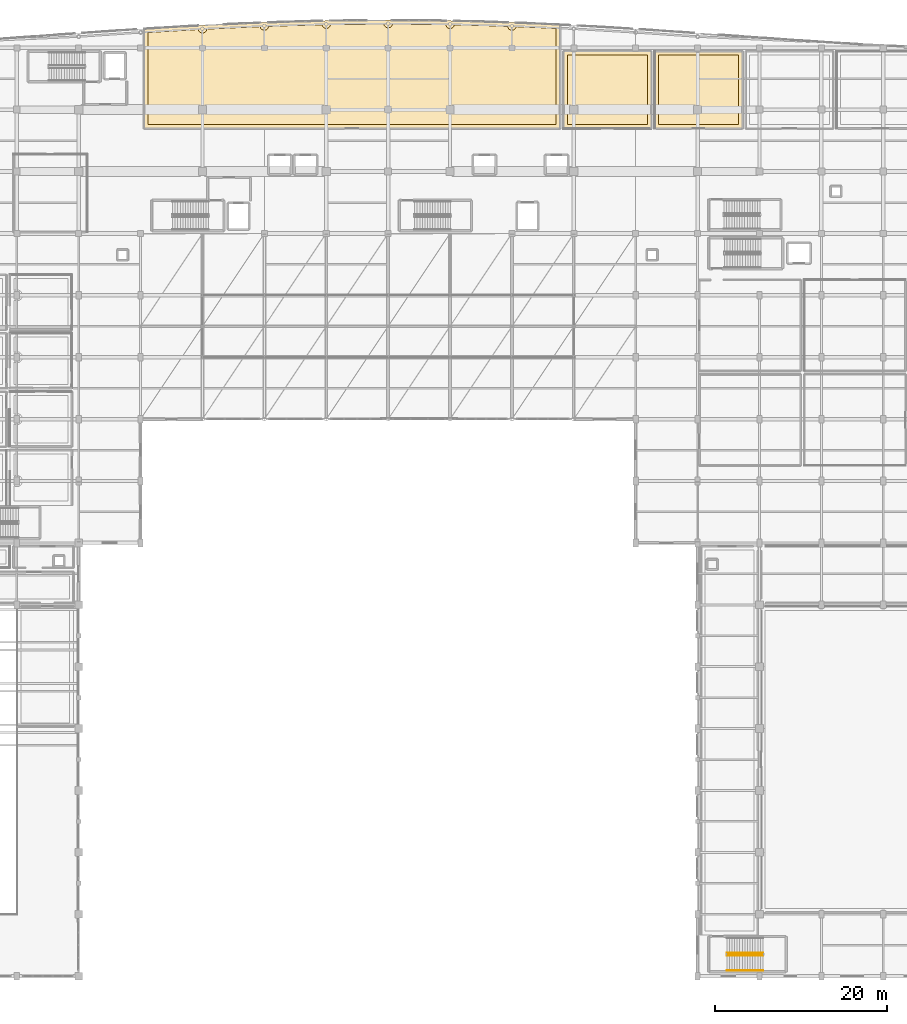
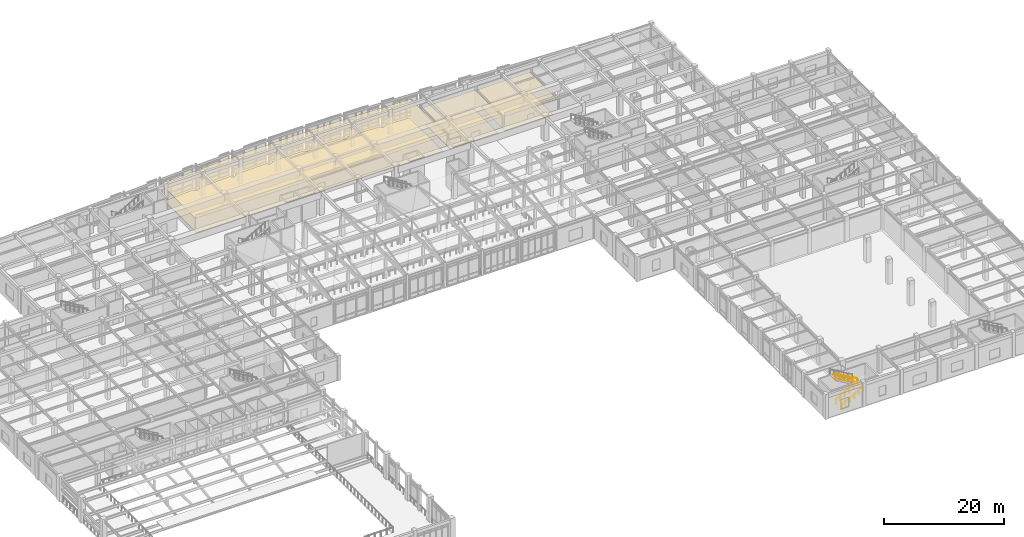
# One storey, part 113 of 117: 6 coverings, 3 railings.
"""IFC4 building model written with IfcOpenShell, lengths in metres."""

import ifcopenshell
import ifcopenshell.guid

model = None  # the IFC model being written
_history = None  # IfcOwnerHistory: only IFC2X3 demands one
_inside = {}  # id of a spatial element -> (the spatial element, [elements in it])
_under = {}  # id of a project, library or spatial element -> (it, [spatial elements below it])
_declared = {}  # id of a project -> (the project, [libraries it declares])
_typed = {}  # id of a type object -> (the type object, [elements of that type])
_made_of = {}  # id of a material, layer set ... -> (it, [elements and type objects made of it])


def new_model(schema):
    """Start an empty IFC model of exactly this schema.

    Asked for "IFC4X3", IfcOpenShell would pick the latest addendum, in which some entities
    have other attributes; the version numbers below select the first issue.
    IFC2X3 requires an IfcOwnerHistory on every rooted entity: one is made here for all.
    """
    global model, _history
    if schema == "IFC4X3":
        model = ifcopenshell.file(schema_version=(4, 3, 0, 0))
    else:
        model = ifcopenshell.file(schema=schema)
    _inside.clear()
    _under.clear()
    _declared.clear()
    _typed.clear()
    _made_of.clear()
    _history = None
    if model.schema == "IFC2X3":
        org = make("IfcOrganization", Name="unknown")
        user = make(
            "IfcPersonAndOrganization",
            ThePerson=make("IfcPerson", FamilyName="unknown"),
            TheOrganization=org,
        )
        app = make(
            "IfcApplication",
            ApplicationDeveloper=org,
            Version="unknown",
            ApplicationFullName="unknown",
            ApplicationIdentifier="unknown",
        )
        _history = make(
            "IfcOwnerHistory",
            OwningUser=user,
            OwningApplication=app,
            ChangeAction="ADDED",
            CreationDate=0,
        )
    return model


def make(cls, **values):
    """One entity of the class cls with the attributes given. An attribute that is None is left unset."""
    return model.create_entity(
        cls, **{name: value for name, value in values.items() if value is not None}
    )


def rooted(cls, **values):
    """An entity with a GlobalId (a new one), such as an element, a storey or a relation."""
    return make(cls, GlobalId=ifcopenshell.guid.new(), OwnerHistory=_history, **values)


def si_unit(unit_type, name, prefix=None):
    """IfcSIUnit, for example si_unit("LENGTHUNIT", "METRE", prefix="MILLI")."""
    return make("IfcSIUnit", UnitType=unit_type, Prefix=prefix, Name=name)


def assignment(units):
    """IfcUnitAssignment: the units of a project."""
    return None if units is None else make("IfcUnitAssignment", Units=units)


def point(xyz):
    """IfcCartesianPoint."""
    return None if xyz is None else make("IfcCartesianPoint", Coordinates=xyz)


def direction(xyz):
    """IfcDirection."""
    return None if xyz is None else make("IfcDirection", DirectionRatios=xyz)


def frame(location, z_axis=None, x_axis=None):
    """IfcAxis2Placement3D, a coordinate frame: its origin and axes. An axis left out is left unset."""
    return make(
        "IfcAxis2Placement3D",
        Location=point(location),
        Axis=direction(z_axis),
        RefDirection=direction(x_axis),
    )


def frame_2d(location, x_axis=None):
    """IfcAxis2Placement2D, a coordinate frame in the plane: its origin and x axis."""
    return make(
        "IfcAxis2Placement2D", Location=point(location), RefDirection=direction(x_axis)
    )


def origin():
    """The frame at (0, 0, 0) with its axes left unset."""
    return frame((0.0, 0.0, 0.0))


def origin_2d():
    """The frame at (0, 0) in the plane with its x axis left unset."""
    return frame_2d((0.0, 0.0))


def place(relative_to, where):
    """IfcLocalPlacement: puts the frame where relative to a parent placement (None: the world)."""
    return make(
        "IfcLocalPlacement", PlacementRelTo=relative_to, RelativePlacement=where
    )


def context(
    kind, dimensions, precision=None, world=None, true_north=None, identifier=None
):
    """IfcGeometricRepresentationContext, for example the 3D "Model" context."""
    return make(
        "IfcGeometricRepresentationContext",
        ContextIdentifier=identifier,
        ContextType=kind,
        CoordinateSpaceDimension=dimensions,
        Precision=precision,
        WorldCoordinateSystem=world,
        TrueNorth=true_north,
    )


def subcontext(parent, identifier, kind, view, scale=None):
    """IfcGeometricRepresentationSubContext, for example "Body" below "Model"."""
    return make(
        "IfcGeometricRepresentationSubContext",
        ContextIdentifier=identifier,
        ContextType=kind,
        ParentContext=parent,
        TargetScale=scale,
        TargetView=view,
    )


def project(units=None, contexts=None):
    """IfcProject with its units and contexts."""
    return rooted(
        "IfcProject",
        Name="project",
        RepresentationContexts=contexts,
        UnitsInContext=assignment(units),
    )


def spatial(cls, under=None, at=None, **own):
    """A site, building, storey or space (cls), placed at a placement, below another one or the project."""
    s = rooted(cls, ObjectPlacement=at, **own)
    if under is not None:
        _under.setdefault(under.id(), (under, []))[1].append(s)
    return s


def polyline(points):
    """IfcPolyline through the points."""
    return make("IfcPolyline", Points=[point(p) for p in points])


def profile(cls, at=None, kind="AREA", **sizes):
    """A parametric profile (cls). Its sizes go by their IFC names, for example OverallWidth=200.0."""
    return make(cls, ProfileType=kind, Position=at, **sizes)


def circle(**sizes):
    """IfcCircleProfileDef."""
    return profile("IfcCircleProfileDef", **sizes)


def outline(outer, holes=None, kind="AREA"):
    """IfcArbitraryClosedProfileDef: a profile drawn as a closed curve; with holes, ...WithVoids."""
    if holes is None:
        return make("IfcArbitraryClosedProfileDef", ProfileType=kind, OuterCurve=outer)
    return make(
        "IfcArbitraryProfileDefWithVoids",
        ProfileType=kind,
        OuterCurve=outer,
        InnerCurves=holes,
    )


def extrude(swept, where, along, depth):
    """IfcExtrudedAreaSolid: the profile swept, set in the frame where, extruded along a direction by depth."""
    return make(
        "IfcExtrudedAreaSolid",
        SweptArea=swept,
        Position=where,
        ExtrudedDirection=direction(along),
        Depth=depth,
    )


def shape(context_of_items, identifier, shape_type, items):
    """IfcShapeRepresentation: the items that make up one representation, for example the "Body"."""
    return make(
        "IfcShapeRepresentation",
        ContextOfItems=context_of_items,
        RepresentationIdentifier=identifier,
        RepresentationType=shape_type,
        Items=items,
    )


def material(Name=None, Category=None):
    """IfcMaterial."""
    return make("IfcMaterial", Name=Name, Category=Category)


def layer(
    of_material, thickness, ventilated=None, Name=None, Category=None, Priority=None
):
    """IfcMaterialLayer: one layer of a wall or slab, of a material (None: an air gap)."""
    return make(
        "IfcMaterialLayer",
        Material=of_material,
        LayerThickness=thickness,
        IsVentilated=ventilated,
        Name=Name,
        Category=Category,
        Priority=Priority,
    )


def layer_set(layers, Name=None):
    """IfcMaterialLayerSet."""
    return make("IfcMaterialLayerSet", MaterialLayers=layers, LayerSetName=Name)


def made_of(thing, what):
    """Note that an element or type object is made of a material, layer set ...; save() writes the relation."""
    if what is not None:
        _made_of.setdefault(what.id(), (what, []))[1].append(thing)
    return thing


def type_object(cls, material=None, **own):
    """A type object (cls), such as IfcWallType, which elements share."""
    return made_of(rooted(cls, **own), material)


def element(
    cls,
    number,
    at=None,
    inside=None,
    cuts=None,
    type_object=None,
    material=None,
    context=None,
    identifier="Body",
    shape_type=None,
    held_by="IfcProductDefinitionShape",
    body=None,
    shapes=None,
    **own,
):
    """One element of the class cls, such as IfcWall. Its Tag is "e" and its number.

    at: its placement. inside: the storey or other place that contains it. cuts: it is an
    opening in that element (IfcRelVoidsElement). A single representation is given by context,
    identifier, shape_type and body (its items); several are given by shapes. held_by: the class
    of the entity that holds the representations. save() writes the other relations.
    """
    e = rooted(cls, Tag="e%d" % number, ObjectPlacement=at, **own)
    if body is not None:
        shapes = [shape(context, identifier, shape_type, body)]
    if shapes is not None:
        e.Representation = make(held_by, Representations=shapes)
    if inside is not None:
        _inside.setdefault(inside.id(), (inside, []))[1].append(e)
    if cuts is not None:
        rooted(
            "IfcRelVoidsElement", RelatingBuildingElement=cuts, RelatedOpeningElement=e
        )
    if type_object is not None:
        _typed.setdefault(type_object.id(), (type_object, []))[1].append(e)
    return made_of(e, material)


def aggregate(whole, parts):
    """IfcRelAggregates: a whole, such as a stair, and the parts it consists of."""
    return rooted("IfcRelAggregates", RelatingObject=whole, RelatedObjects=parts)


def save(model, path):
    """Write the relations noted so far, then the file.

    IfcRelAggregates (storeys below a building ...), IfcRelContainedInSpatialStructure (elements
    in a storey), IfcRelDefinesByType, IfcRelAssociatesMaterial and IfcRelDeclares: one each for
    every whole, place, type object, material and project.
    """
    for whole, parts in _under.values():
        aggregate(whole, parts)
    for where, things in _inside.values():
        rooted(
            "IfcRelContainedInSpatialStructure",
            RelatedElements=things,
            RelatingStructure=where,
        )
    for kind, things in _typed.values():
        rooted("IfcRelDefinesByType", RelatedObjects=things, RelatingType=kind)
    for what, things in _made_of.values():
        rooted("IfcRelAssociatesMaterial", RelatedObjects=things, RelatingMaterial=what)
    for by, libraries in _declared.values():
        rooted("IfcRelDeclares", RelatingContext=by, RelatedDefinitions=libraries)
    model.write(path)


model = new_model("IFC4")

# Units and contexts
model_context = context("Model", 3, precision=1e-05, world=origin(), true_north=direction((0.0, 1.0)))
body_context = subcontext(model_context, "Body", "Model", "MODEL_VIEW")
ifc_project = project(units=[si_unit("LENGTHUNIT", "METRE"), si_unit("AREAUNIT", "SQUARE_METRE"), si_unit("VOLUMEUNIT", "CUBIC_METRE"), si_unit("PLANEANGLEUNIT", "RADIAN"), si_unit("MASSUNIT", "GRAM", prefix="KILO")], contexts=[model_context])

# Site, building, storey
site_placement = place(None, origin())
site = spatial("IfcSite", under=ifc_project, at=site_placement, CompositionType="ELEMENT")
building_placement = place(site_placement, origin())
building = spatial("IfcBuilding", under=site, at=building_placement, Name="Carrowvane Square Congress Hotel", CompositionType="ELEMENT")
storey_placement = place(building_placement, frame((0.0, 0.0, 5.39990234375)))
storey = spatial("IfcBuildingStorey", under=building, at=storey_placement, Name="L01", CompositionType="ELEMENT", Elevation=5.39990234375)

# Coverings
ifc_material_1 = material(Name="Acoustic gypsum board", Category="gypsum")
ifc_layer_1 = layer(ifc_material_1, 0.02001953125)
ifc_layer_set_1 = layer_set([ifc_layer_1], Name="Acoustic gypsum board")
covering_type_1 = type_object("IfcCoveringType", Name="COV-CLG-AC20", PredefinedType="CEILING", material=ifc_layer_set_1)
covering_1_placement = place(storey_placement, frame((0.0, 0.0, 3.375)))
element("IfcCovering", 1, at=covering_1_placement, inside=storey, type_object=covering_type_1, Name="L01 Delegate Congress Dining Hall acoustic ceiling", PredefinedType="CEILING", context=body_context, shape_type="SweptSolid", body=[
    extrude(outline(polyline([(118.0166015625, 103.989013671875), (118.015380859375, 103.9873046875), (118.01416015625, 103.98583984375), (118.0126953125, 103.984619140625), (118.010986328125, 103.9833984375), (118.009521484375, 103.982421875), (118.0078125, 103.9814453125), (118.005859375, 103.98095703125), (118.00390625, 103.98046875), (118.001953125, 103.97998046875), (118.0, 103.97998046875), (69.60009765625, 103.97998046875), (69.597900390625, 103.97998046875), (69.59619140625, 103.98046875), (69.59423828125, 103.98095703125), (69.59228515625, 103.9814453125), (69.590576171875, 103.982421875), (69.5888671875, 103.9833984375), (69.58740234375, 103.984619140625), (69.5859375, 103.98583984375), (69.58447265625, 103.9873046875), (69.58349609375, 103.989013671875), (69.58251953125, 103.990478515625), (69.58154296875, 103.9921875), (69.580810546875, 103.994140625), (69.580322265625, 103.99609375), (69.580078125, 103.998046875), (69.580078125, 104.0), (69.580078125, 113.276123046875), (69.582763671875, 113.283935546875), (69.59228515625, 113.322021484375), (69.59814453125, 113.36083984375), (69.60009765625, 113.39990234375), (69.59814453125, 113.439208984375), (69.59228515625, 113.47802734375), (69.582763671875, 113.51611328125), (69.580078125, 113.52392578125), (69.580078125, 115.599365234375), (69.580078125, 115.601318359375), (69.580322265625, 115.603271484375), (69.580810546875, 115.605224609375), (69.58154296875, 115.607177734375), (69.58251953125, 115.60888671875), (69.58349609375, 115.610595703125), (69.584716796875, 115.6123046875), (69.586181640625, 115.61376953125), (69.587646484375, 115.614990234375), (69.58935546875, 115.6162109375), (69.591064453125, 115.6171875), (69.593017578125, 115.617919921875), (69.5947265625, 115.61865234375), (69.5966796875, 115.618896484375), (69.598876953125, 115.619384765625), (73.998779296875, 115.8857421875), (73.998779296875, 115.8857421875), (76.39892578125, 116.017578125), (76.39892578125, 116.017578125), (78.799072265625, 116.138427734375), (78.799072265625, 116.138427734375), (81.19921875, 116.24755859375), (81.19921875, 116.24755859375), (83.59912109375, 116.343994140625), (83.599365234375, 116.343994140625), (85.999267578125, 116.427001953125), (85.99951171875, 116.427001953125), (88.3994140625, 116.49560546875), (88.3994140625, 116.49560546875), (90.799560546875, 116.5498046875), (90.7998046875, 116.5498046875), (93.19970703125, 116.588623046875), (93.19970703125, 116.588623046875), (95.599853515625, 116.6123046875), (95.599853515625, 116.6123046875), (98.0, 116.6201171875), (98.0, 116.6201171875), (100.400146484375, 116.6123046875), (100.400146484375, 116.6123046875), (102.80029296875, 116.588623046875), (102.80029296875, 116.588623046875), (105.2001953125, 116.5498046875), (105.200439453125, 116.5498046875), (107.6005859375, 116.49560546875), (107.6005859375, 116.49560546875), (110.00048828125, 116.427001953125), (110.000732421875, 116.427001953125), (112.400634765625, 116.343994140625), (112.40087890625, 116.343994140625), (114.80078125, 116.24755859375), (114.80078125, 116.24755859375), (118.0009765625, 116.09814453125), (118.002685546875, 116.097900390625), (118.004638671875, 116.09765625), (118.006591796875, 116.09716796875), (118.00830078125, 116.096435546875), (118.010009765625, 116.095458984375), (118.01171875, 116.094482421875), (118.01318359375, 116.09326171875), (118.014404296875, 116.092041015625), (118.015625, 116.090576171875), (118.016845703125, 116.089111328125), (118.017822265625, 116.08740234375), (118.0185546875, 116.085693359375), (118.019287109375, 116.083740234375), (118.01953125, 116.08203125), (118.02001953125, 116.080078125), (118.02001953125, 116.078125), (118.02001953125, 104.0), (118.02001953125, 103.998046875), (118.01953125, 103.99609375), (118.01904296875, 103.994140625), (118.0185546875, 103.9921875), (118.017578125, 103.990478515625), (118.0166015625, 103.989013671875)])), origin(), (0.0, 0.0, 1.0), 0.02001953125),
])
ifc_material_2 = material(Name="Anodised aluminium", Category="aluminium")
ifc_layer_2 = layer(ifc_material_2, 0.030029296875)
ifc_layer_set_2 = layer_set([ifc_layer_2], Name="Anodised aluminium")
covering_type_2 = type_object("IfcCoveringType", Name="COV-CLG-MT30", PredefinedType="CEILING", material=ifc_layer_set_2)
covering_2_placement = place(storey_placement, frame((0.0, 0.0, 3.28515625)))
element("IfcCovering", 2, at=covering_2_placement, inside=storey, type_object=covering_type_2, Name="L01 Private Dining Salon 2 acoustic ceiling", PredefinedType="CEILING", context=body_context, shape_type="SweptSolid", body=[
    extrude(outline(polyline([(128.984619140625, 103.9873046875), (128.9833984375, 103.989013671875), (128.982421875, 103.990478515625), (128.9814453125, 103.9921875), (128.98095703125, 103.994140625), (128.98046875, 103.99609375), (128.97998046875, 103.998046875), (128.97998046875, 104.0), (128.97998046875, 113.0), (128.97998046875, 113.001953125), (128.98046875, 113.00390625), (128.98095703125, 113.005859375), (128.9814453125, 113.0078125), (128.982421875, 113.009521484375), (128.9833984375, 113.010986328125), (128.984619140625, 113.0126953125), (128.98583984375, 113.01416015625), (128.9873046875, 113.015380859375), (128.989013671875, 113.0166015625), (128.990478515625, 113.017578125), (128.9921875, 113.0185546875), (128.994140625, 113.01904296875), (128.99609375, 113.01953125), (128.998046875, 113.02001953125), (129.0, 113.02001953125), (133.876220703125, 113.02001953125), (133.8837890625, 113.01708984375), (133.922119140625, 113.0078125), (133.960693359375, 113.001953125), (134.0, 113.0), (134.039306640625, 113.001953125), (134.077880859375, 113.0078125), (134.1162109375, 113.01708984375), (134.123779296875, 113.02001953125), (139.199951171875, 113.02001953125), (139.201904296875, 113.02001953125), (139.203857421875, 113.01953125), (139.205810546875, 113.01904296875), (139.207763671875, 113.0185546875), (139.20947265625, 113.017578125), (139.211181640625, 113.0166015625), (139.212646484375, 113.015380859375), (139.214111328125, 113.01416015625), (139.215576171875, 113.0126953125), (139.216552734375, 113.010986328125), (139.217529296875, 113.009521484375), (139.218505859375, 113.0078125), (139.218994140625, 113.005859375), (139.219482421875, 113.00390625), (139.219970703125, 113.001953125), (139.219970703125, 113.0), (139.219970703125, 104.0), (139.219970703125, 103.998046875), (139.219482421875, 103.99609375), (139.218994140625, 103.994140625), (139.218505859375, 103.9921875), (139.217529296875, 103.990478515625), (139.216552734375, 103.989013671875), (139.215576171875, 103.9873046875), (139.214111328125, 103.98583984375), (139.212646484375, 103.984619140625), (139.211181640625, 103.9833984375), (139.20947265625, 103.982421875), (139.207763671875, 103.9814453125), (139.205810546875, 103.98095703125), (139.203857421875, 103.98046875), (139.201904296875, 103.97998046875), (139.199951171875, 103.97998046875), (129.0, 103.97998046875), (128.998046875, 103.97998046875), (128.99609375, 103.98046875), (128.994140625, 103.98095703125), (128.9921875, 103.9814453125), (128.990478515625, 103.982421875), (128.989013671875, 103.9833984375), (128.9873046875, 103.984619140625), (128.98583984375, 103.98583984375), (128.984619140625, 103.9873046875)])), origin(), (0.0, 0.0, 1.0), 0.030029296875),
])
ifc_material_3 = material(Name="European oak timber", Category="wood")
ifc_layer_3 = layer(ifc_material_3, 0.02490234375)
ifc_layer_set_3 = layer_set([ifc_layer_3], Name="European oak timber")
covering_type_3 = type_object("IfcCoveringType", Name="COV-CLG-WD25", PredefinedType="CEILING", material=ifc_layer_set_3)
covering_3_placement = place(storey_placement, frame((0.0, 0.0, 3.3701171875)))
element("IfcCovering", 3, at=covering_3_placement, inside=storey, type_object=covering_type_3, Name="L01 Private Dining Salon 1 acoustic ceiling", PredefinedType="CEILING", context=body_context, shape_type="SweptSolid", body=[
    extrude(outline(polyline([(128.6201171875, 113.0), (128.6201171875, 104.0), (128.619873046875, 103.998046875), (128.61962890625, 103.99609375), (128.619140625, 103.994140625), (128.618408203125, 103.9921875), (128.61767578125, 103.990478515625), (128.61669921875, 103.989013671875), (128.615478515625, 103.9873046875), (128.614013671875, 103.98583984375), (128.61279296875, 103.984619140625), (128.611083984375, 103.9833984375), (128.609375, 103.982421875), (128.607666015625, 103.9814453125), (128.605712890625, 103.98095703125), (128.60400390625, 103.98046875), (128.60205078125, 103.97998046875), (128.60009765625, 103.97998046875), (118.39990234375, 103.97998046875), (118.39794921875, 103.97998046875), (118.39599609375, 103.98046875), (118.394287109375, 103.98095703125), (118.392333984375, 103.9814453125), (118.390625, 103.982421875), (118.388916015625, 103.9833984375), (118.38720703125, 103.984619140625), (118.385986328125, 103.98583984375), (118.384521484375, 103.9873046875), (118.38330078125, 103.989013671875), (118.38232421875, 103.990478515625), (118.381591796875, 103.9921875), (118.380859375, 103.994140625), (118.38037109375, 103.99609375), (118.380126953125, 103.998046875), (118.3798828125, 104.0), (118.3798828125, 113.0), (118.380126953125, 113.001953125), (118.38037109375, 113.00390625), (118.380859375, 113.005859375), (118.381591796875, 113.0078125), (118.38232421875, 113.009521484375), (118.38330078125, 113.010986328125), (118.384521484375, 113.0126953125), (118.385986328125, 113.01416015625), (118.38720703125, 113.015380859375), (118.388916015625, 113.0166015625), (118.390625, 113.017578125), (118.392333984375, 113.0185546875), (118.394287109375, 113.01904296875), (118.39599609375, 113.01953125), (118.39794921875, 113.02001953125), (118.39990234375, 113.02001953125), (119.47607421875, 113.02001953125), (119.48388671875, 113.01708984375), (119.52197265625, 113.0078125), (119.560791015625, 113.001953125), (119.60009765625, 113.0), (119.63916015625, 113.001953125), (119.677978515625, 113.0078125), (119.716064453125, 113.01708984375), (119.723876953125, 113.02001953125), (126.676025390625, 113.02001953125), (126.683837890625, 113.01708984375), (126.721923828125, 113.0078125), (126.7607421875, 113.001953125), (126.800048828125, 113.0), (126.839111328125, 113.001953125), (126.8779296875, 113.0078125), (126.916015625, 113.01708984375), (126.923828125, 113.02001953125), (128.60009765625, 113.02001953125), (128.60205078125, 113.02001953125), (128.60400390625, 113.01953125), (128.605712890625, 113.01904296875), (128.607666015625, 113.0185546875), (128.609375, 113.017578125), (128.611083984375, 113.0166015625), (128.61279296875, 113.015380859375), (128.614013671875, 113.01416015625), (128.615478515625, 113.0126953125), (128.61669921875, 113.010986328125), (128.61767578125, 113.009521484375), (128.618408203125, 113.0078125), (128.619140625, 113.005859375), (128.61962890625, 113.00390625), (128.619873046875, 113.001953125), (128.6201171875, 113.0)])), origin(), (0.0, 0.0, 1.0), 0.02490234375),
])
ifc_material_4 = material(Name="European oak timber", Category="wood")
ifc_layer_4 = layer(ifc_material_4, 0.013916015625)
ifc_layer_set_4 = layer_set([ifc_layer_4], Name="European oak timber")
covering_type_4 = type_object("IfcCoveringType", Name="COV-FLR-CRP14", PredefinedType="FLOORING", material=ifc_layer_set_4)
covering_4_placement = place(storey_placement, origin())
element("IfcCovering", 4, at=covering_4_placement, inside=storey, type_object=covering_type_4, Name="L01 Private Dining Salon 2 floor finish", PredefinedType="FLOORING", context=body_context, shape_type="SweptSolid", body=[
    extrude(outline(polyline([(138.75, 112.550048828125), (138.75, 104.449951171875), (129.449951171875, 104.449951171875), (129.449951171875, 112.550048828125), (138.75, 112.550048828125)])), origin(), (0.0, 0.0, 1.0), 0.01416015625),
])
ifc_material_5 = material(Name="Portland limestone cladding", Category="masonry")
ifc_layer_5 = layer(ifc_material_5, 0.02587890625)
ifc_layer_set_5 = layer_set([ifc_layer_5], Name="Portland limestone cladding")
covering_type_5 = type_object("IfcCoveringType", Name="COV-FLR-STN26", PredefinedType="FLOORING", material=ifc_layer_set_5)
covering_5_placement = place(storey_placement, origin())
element("IfcCovering", 5, at=covering_5_placement, inside=storey, type_object=covering_type_5, Name="L01 Private Dining Salon 1 floor finish", PredefinedType="FLOORING", context=body_context, shape_type="SweptSolid", body=[
    extrude(outline(polyline([(128.14990234375, 112.550048828125), (128.14990234375, 104.449951171875), (118.85009765625, 104.449951171875), (118.85009765625, 112.550048828125), (128.14990234375, 112.550048828125)])), origin(), (0.0, 0.0, 1.0), 0.026123046875),
])
ifc_material_6 = material(Name="Ceramic porcelain tile", Category="stone")
ifc_layer_6 = layer(ifc_material_6, 0.02197265625)
ifc_layer_set_6 = layer_set([ifc_layer_6], Name="Ceramic porcelain tile")
covering_type_6 = type_object("IfcCoveringType", Name="COV-FLR-TRZ22", PredefinedType="FLOORING", material=ifc_layer_set_6)
covering_6_placement = place(storey_placement, origin())
element("IfcCovering", 6, at=covering_6_placement, inside=storey, type_object=covering_type_6, Name="L01 Delegate Congress Dining Hall floor finish", PredefinedType="FLOORING", context=body_context, shape_type="SweptSolid", body=[
    extrude(outline(polyline([(105.58642578125, 115.83251953125), (105.61572265625, 115.8720703125), (105.64111328125, 115.9140625), (105.661865234375, 115.95849609375), (105.678466796875, 116.004638671875), (105.6904296875, 116.05224609375), (105.69287109375, 116.068603515625), (107.58837890625, 116.02587890625), (109.98583984375, 115.957275390625), (111.903076171875, 115.890869140625), (111.90966796875, 115.846435546875), (111.92138671875, 115.798828125), (111.93798828125, 115.752685546875), (111.958984375, 115.708251953125), (111.984375, 115.666259765625), (112.013427734375, 115.626708984375), (112.04638671875, 115.59033203125), (112.082763671875, 115.5576171875), (112.122314453125, 115.5283203125), (112.164306640625, 115.5029296875), (112.208740234375, 115.482177734375), (112.2548828125, 115.465576171875), (112.302490234375, 115.45361328125), (112.35107421875, 115.4462890625), (112.39990234375, 115.444091796875), (112.448974609375, 115.4462890625), (112.49755859375, 115.45361328125), (112.545166015625, 115.465576171875), (112.59130859375, 115.482177734375), (112.6357421875, 115.5029296875), (112.677734375, 115.5283203125), (112.71728515625, 115.5576171875), (112.753662109375, 115.59033203125), (112.78662109375, 115.626708984375), (112.815673828125, 115.666259765625), (112.841064453125, 115.708251953125), (112.86181640625, 115.752685546875), (112.87841796875, 115.798828125), (112.890380859375, 115.846435546875), (112.8916015625, 115.85400390625), (114.780517578125, 115.778076171875), (117.550048828125, 115.648681640625), (117.550048828125, 104.449951171875), (70.050048828125, 104.449951171875), (70.050048828125, 115.17578125), (74.02587890625, 115.41650390625), (75.90966796875, 115.52001953125), (75.92138671875, 115.472412109375), (75.93798828125, 115.42626953125), (75.958984375, 115.3818359375), (75.984375, 115.33984375), (76.013427734375, 115.30029296875), (76.04638671875, 115.263916015625), (76.082763671875, 115.231201171875), (76.122314453125, 115.201904296875), (76.164306640625, 115.176513671875), (76.208740234375, 115.15576171875), (76.2548828125, 115.13916015625), (76.302490234375, 115.127197265625), (76.35107421875, 115.1201171875), (76.39990234375, 115.11767578125), (76.448974609375, 115.1201171875), (76.49755859375, 115.127197265625), (76.545166015625, 115.13916015625), (76.59130859375, 115.15576171875), (76.6357421875, 115.176513671875), (76.677734375, 115.201904296875), (76.71728515625, 115.231201171875), (76.753662109375, 115.263916015625), (76.78662109375, 115.30029296875), (76.815673828125, 115.33984375), (76.841064453125, 115.3818359375), (76.86181640625, 115.42626953125), (76.87841796875, 115.472412109375), (76.890380859375, 115.52001953125), (76.897705078125, 115.568603515625), (76.897705078125, 115.572021484375), (78.821533203125, 115.6689453125), (81.21923828125, 115.778076171875), (83.1083984375, 115.85400390625), (83.109619140625, 115.846435546875), (83.12158203125, 115.798828125), (83.13818359375, 115.752685546875), (83.158935546875, 115.708251953125), (83.184326171875, 115.666259765625), (83.21337890625, 115.626708984375), (83.246337890625, 115.59033203125), (83.28271484375, 115.5576171875), (83.322265625, 115.5283203125), (83.3642578125, 115.5029296875), (83.40869140625, 115.482177734375), (83.454833984375, 115.465576171875), (83.50244140625, 115.45361328125), (83.551025390625, 115.4462890625), (83.60009765625, 115.444091796875), (83.64892578125, 115.4462890625), (83.697509765625, 115.45361328125), (83.7451171875, 115.465576171875), (83.791259765625, 115.482177734375), (83.835693359375, 115.5029296875), (83.877685546875, 115.5283203125), (83.917236328125, 115.5576171875), (83.95361328125, 115.59033203125), (83.986572265625, 115.626708984375), (84.015625, 115.666259765625), (84.041015625, 115.708251953125), (84.06201171875, 115.752685546875), (84.07861328125, 115.798828125), (84.09033203125, 115.846435546875), (84.096923828125, 115.890869140625), (86.01416015625, 115.957275390625), (88.41162109375, 116.02587890625), (90.30712890625, 116.068603515625), (90.3095703125, 116.05224609375), (90.321533203125, 116.004638671875), (90.338134765625, 115.95849609375), (90.35888671875, 115.9140625), (90.38427734375, 115.8720703125), (90.41357421875, 115.83251953125), (90.4462890625, 115.796142578125), (90.48291015625, 115.76318359375), (90.522216796875, 115.734130859375), (90.564208984375, 115.708740234375), (90.608642578125, 115.68798828125), (90.65478515625, 115.67138671875), (90.702392578125, 115.659423828125), (90.7509765625, 115.652099609375), (90.800048828125, 115.64990234375), (90.84912109375, 115.652099609375), (90.8974609375, 115.659423828125), (90.945068359375, 115.67138671875), (90.9912109375, 115.68798828125), (91.03564453125, 115.708740234375), (91.077880859375, 115.734130859375), (91.1171875, 115.76318359375), (91.153564453125, 115.796142578125), (91.1865234375, 115.83251953125), (91.2158203125, 115.8720703125), (91.240966796875, 115.9140625), (91.261962890625, 115.95849609375), (91.278564453125, 116.004638671875), (91.290283203125, 116.05224609375), (91.295654296875, 116.087646484375), (93.205810546875, 116.11865234375), (95.602783203125, 116.14208984375), (97.505859375, 116.1484375), (97.509521484375, 116.12255859375), (97.521484375, 116.074951171875), (97.5380859375, 116.02880859375), (97.55908203125, 115.984375), (97.584228515625, 115.942138671875), (97.613525390625, 115.90283203125), (97.646484375, 115.866455078125), (97.682861328125, 115.83349609375), (97.72216796875, 115.80419921875), (97.764404296875, 115.779052734375), (97.80859375, 115.758056640625), (97.85498046875, 115.741455078125), (97.902587890625, 115.7294921875), (97.950927734375, 115.722412109375), (98.0, 115.719970703125), (98.049072265625, 115.722412109375), (98.097412109375, 115.7294921875), (98.14501953125, 115.741455078125), (98.19140625, 115.758056640625), (98.235595703125, 115.779052734375), (98.27783203125, 115.80419921875), (98.317138671875, 115.83349609375), (98.353515625, 115.866455078125), (98.386474609375, 115.90283203125), (98.415771484375, 115.942138671875), (98.44091796875, 115.984375), (98.4619140625, 116.02880859375), (98.478515625, 116.074951171875), (98.490478515625, 116.12255859375), (98.494140625, 116.1484375), (100.397216796875, 116.14208984375), (102.794189453125, 116.11865234375), (104.704345703125, 116.087646484375), (104.709716796875, 116.05224609375), (104.721435546875, 116.004638671875), (104.738037109375, 115.95849609375), (104.759033203125, 115.9140625), (104.7841796875, 115.8720703125), (104.8134765625, 115.83251953125), (104.846435546875, 115.796142578125), (104.8828125, 115.76318359375), (104.922119140625, 115.734130859375), (104.96435546875, 115.708740234375), (105.0087890625, 115.68798828125), (105.054931640625, 115.67138671875), (105.1025390625, 115.659423828125), (105.15087890625, 115.652099609375), (105.199951171875, 115.64990234375), (105.2490234375, 115.652099609375), (105.297607421875, 115.659423828125), (105.34521484375, 115.67138671875), (105.391357421875, 115.68798828125), (105.435791015625, 115.708740234375), (105.477783203125, 115.734130859375), (105.51708984375, 115.76318359375), (105.5537109375, 115.796142578125), (105.58642578125, 115.83251953125)])), origin(), (0.0, 0.0, 1.0), 0.022216796875),
])

# Railings
ifc_material_7 = material(Name="Stainless steel 316", Category="steel")
ifc_layer_7 = layer(ifc_material_7, 0.048095703125)
ifc_layer_set_7 = layer_set([ifc_layer_7], Name="Stainless steel 316")
railing_type_1 = type_object("IfcRailingType", Name="RLG-HR-900", PredefinedType="HANDRAIL", material=ifc_layer_set_7)
railing_1_placement = place(storey_placement, frame((137.39990234375, 6.050048828125, 0.170166015625)))
element("IfcRailing", 7, at=railing_1_placement, inside=storey, type_object=railing_type_1, Name="L01 ST10 stair handrail 1", PredefinedType="HANDRAIL", context=body_context, shape_type="SweptSolid", body=[
    extrude(circle(Radius=0.02392578125, at=origin_2d()), frame((0.0, 0.0, 0.8759765625), z_axis=(0.870042430969, 0.0, 0.492976843588), x_axis=(0.0, 1.0, 0.0)), (0.0, 0.0, 1.0), 4.82763671875),
    extrude(circle(Radius=0.02099609375, at=origin_2d()), origin(), (0.0, 0.0, 1.0), 0.851806640625),
    extrude(circle(Radius=0.02099609375, at=origin_2d()), frame((0.840087890625, 0.0, 0.47607421875)), (0.0, 0.0, 1.0), 0.851806640625),
    extrude(circle(Radius=0.02099609375, at=origin_2d()), frame((1.68017578125, 0.0, 0.951904296875)), (0.0, 0.0, 1.0), 0.851806640625),
    extrude(circle(Radius=0.02099609375, at=origin_2d()), frame((2.52001953125, 0.0, 1.427978515625)), (0.0, 0.0, 1.0), 0.851806640625),
    extrude(circle(Radius=0.02099609375, at=origin_2d()), frame((3.360107421875, 0.0, 1.90380859375)), (0.0, 0.0, 1.0), 0.851806640625),
    extrude(circle(Radius=0.02099609375, at=origin_2d()), frame((4.2001953125, 0.0, 2.3798828125)), (0.0, 0.0, 1.0), 0.851806640625),
])
ifc_material_8 = material(Name="Galvanised steel", Category="steel")
ifc_layer_8 = layer(ifc_material_8, 0.048095703125)
ifc_layer_set_8 = layer_set([ifc_layer_8], Name="Galvanised steel")
railing_type_2 = type_object("IfcRailingType", Name="RLG-STG-1100", PredefinedType="GUARDRAIL", material=ifc_layer_set_8)
railing_2_placement = place(storey_placement, frame((137.39990234375, 7.800048828125, 0.170166015625)))
element("IfcRailing", 8, at=railing_2_placement, inside=storey, type_object=railing_type_2, Name="L01 ST10 stair guard 1", PredefinedType="GUARDRAIL", context=body_context, shape_type="SweptSolid", body=[
    extrude(circle(Radius=0.02392578125, at=origin_2d()), frame((0.0, 0.0, 1.076171875), z_axis=(0.870042430969, 0.0, 0.492976843588), x_axis=(0.0, 1.0, 0.0)), (0.0, 0.0, 1.0), 4.82763671875),
    extrude(circle(Radius=0.02099609375, at=origin_2d()), origin(), (0.0, 0.0, 1.0), 1.052001953125),
    extrude(circle(Radius=0.02099609375, at=origin_2d()), frame((0.840087890625, 0.0, 0.47607421875)), (0.0, 0.0, 1.0), 1.052001953125),
    extrude(circle(Radius=0.02099609375, at=origin_2d()), frame((1.68017578125, 0.0, 0.951904296875)), (0.0, 0.0, 1.0), 1.052001953125),
    extrude(circle(Radius=0.02099609375, at=origin_2d()), frame((2.52001953125, 0.0, 1.427978515625)), (0.0, 0.0, 1.0), 1.052001953125),
    extrude(circle(Radius=0.02099609375, at=origin_2d()), frame((3.360107421875, 0.0, 1.90380859375)), (0.0, 0.0, 1.0), 1.052001953125),
    extrude(circle(Radius=0.02099609375, at=origin_2d()), frame((4.2001953125, 0.0, 2.3798828125)), (0.0, 0.0, 1.0), 1.052001953125),
])
railing_3_placement = place(storey_placement, frame((141.60009765625, 8.10009765625, 2.72021484375)))
element("IfcRailing", 9, at=railing_3_placement, inside=storey, type_object=railing_type_2, Name="L01 ST10 stair guard 3", PredefinedType="GUARDRAIL", context=body_context, shape_type="SweptSolid", body=[
    extrude(circle(Radius=0.02392578125, at=origin_2d()), frame((0.0, 0.0, 1.076171875), z_axis=(-0.870042430969, 0.0, 0.492976843588), x_axis=(0.0, -1.0, 0.0)), (0.0, 0.0, 1.0), 4.82763671875),
    extrude(circle(Radius=0.02099609375, at=origin_2d()), origin(), (0.0, 0.0, 1.0), 1.052001953125),
    extrude(circle(Radius=0.02099609375, at=origin_2d()), frame((-0.840087890625, 0.0, 0.47607421875)), (0.0, 0.0, 1.0), 1.052001953125),
    extrude(circle(Radius=0.02099609375, at=origin_2d()), frame((-1.68017578125, 0.0, 0.951904296875)), (0.0, 0.0, 1.0), 1.052001953125),
    extrude(circle(Radius=0.02099609375, at=origin_2d()), frame((-2.52001953125, 0.0, 1.427978515625)), (0.0, 0.0, 1.0), 1.052001953125),
    extrude(circle(Radius=0.02099609375, at=origin_2d()), frame((-3.360107421875, 0.0, 1.90380859375)), (0.0, 0.0, 1.0), 1.052001953125),
    extrude(circle(Radius=0.02099609375, at=origin_2d()), frame((-4.2001953125, 0.0, 2.3798828125)), (0.0, 0.0, 1.0), 1.052001953125),
])

save(model, "model.ifc")
